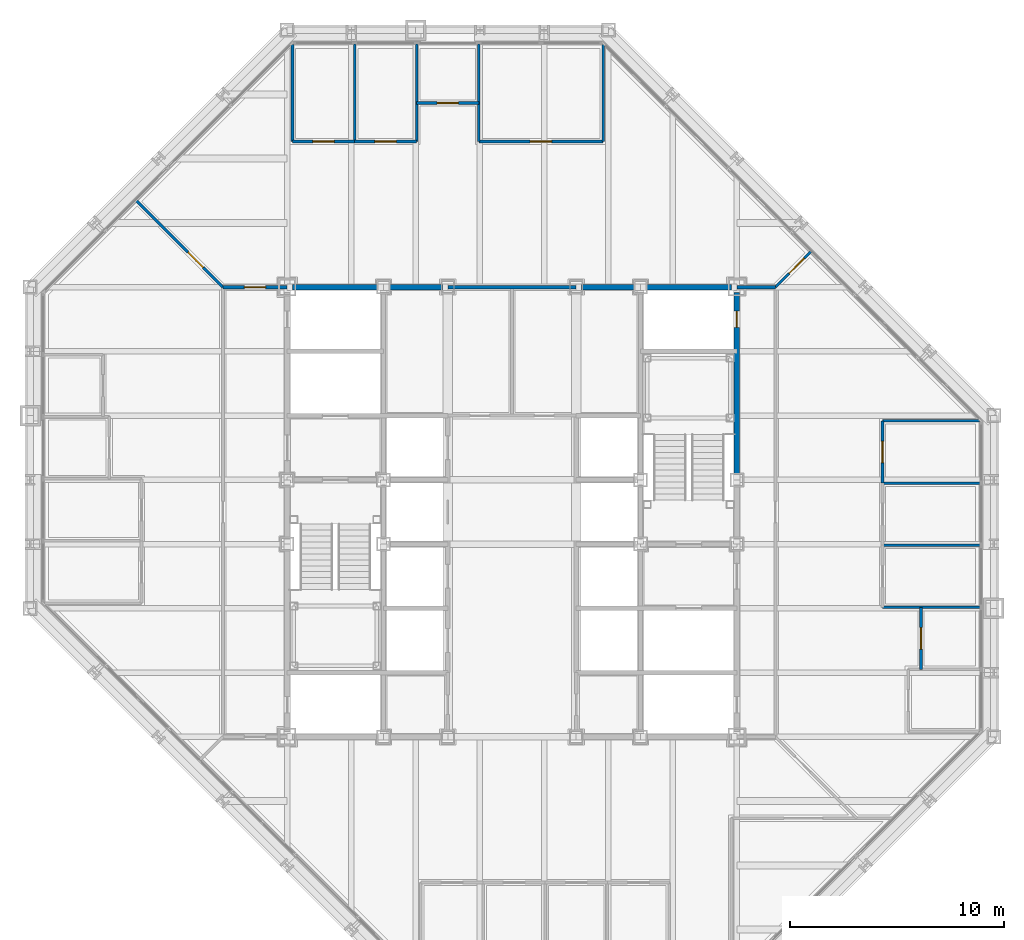
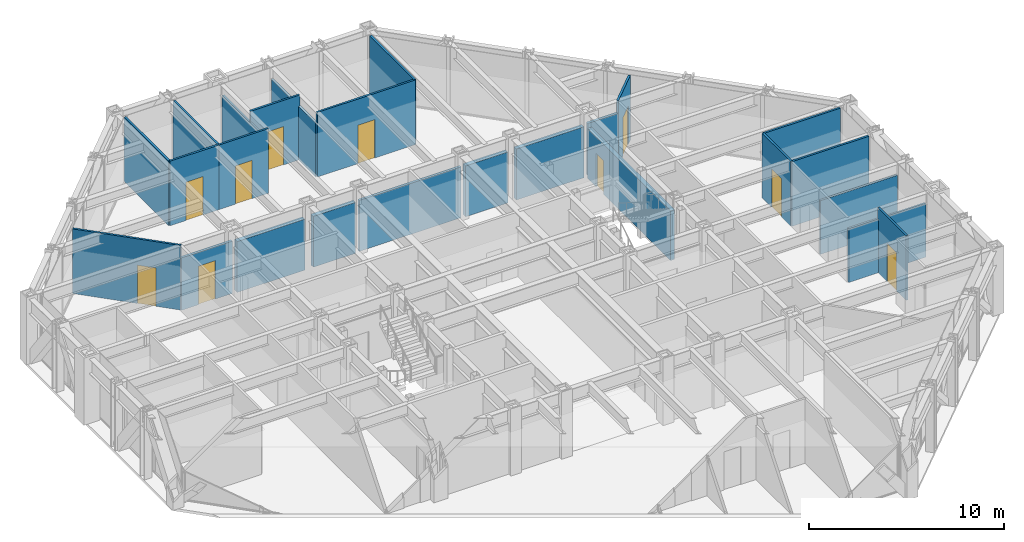
# One storey, part 12 of 15: 25 walls, 10 doors, 10 openings.
"""IFC4 building model written with IfcOpenShell, lengths in metres."""

from ifc_helpers import new_model, si_unit, direction, frame, frame_2d, origin, place, context, subcontext, project, spatial, rectangle, extrude, material, layer, layer_set, type_object, element, fill, save


model = new_model("IFC4")

# Units and contexts
model_context = context("Model", 3, precision=1e-05, world=origin(), true_north=direction((0.0, 1.0)))
body_context = subcontext(model_context, "Body", "Model", "MODEL_VIEW")
ifc_project = project(units=[si_unit("LENGTHUNIT", "METRE"), si_unit("AREAUNIT", "SQUARE_METRE"), si_unit("VOLUMEUNIT", "CUBIC_METRE"), si_unit("PLANEANGLEUNIT", "RADIAN"), si_unit("MASSUNIT", "GRAM", prefix="KILO")], contexts=[model_context])

# Site, building, storey
site_placement = place(None, origin())
site = spatial("IfcSite", under=ifc_project, at=site_placement, CompositionType="ELEMENT")
building_placement = place(site_placement, origin())
building = spatial("IfcBuilding", under=site, at=building_placement, Name="Chuquiago Exchange Tower", CompositionType="ELEMENT")
storey_placement = place(building_placement, frame((0.0, 0.0, 192.89990234375)))
storey = spatial("IfcBuildingStorey", under=building, at=storey_placement, Name="L42", CompositionType="ELEMENT", Elevation=192.89990234375)

# Walls
ifc_material_1 = material(Name="Concrete masonry, fully grouted", Category="masonry")
ifc_layer_1 = layer(ifc_material_1, 0.25)
ifc_layer_set_1 = layer_set([ifc_layer_1], Name="W1 core wall 250")
wall_type_1 = type_object("IfcWallType", Name="W1 core wall 250", PredefinedType="SOLIDWALL", material=ifc_layer_set_1)
wall_1_placement = place(storey_placement, frame((12.25, 33.0, 0.0), z_axis=(0.0, 0.0, 1.0), x_axis=(1.0, 0.0, 0.0)))
element("IfcWall", 1, at=wall_1_placement, inside=storey, type_object=wall_type_1, Name="CW-L42-11-0", PredefinedType="SOLIDWALL", context=body_context, shape_type="SweptSolid", body=[
    extrude(rectangle(XDim=4.0, YDim=0.25, at=frame_2d((2.0, 0.0))), origin(), (0.0, 0.0, 1.0), 3.181640625),
])
for number, where, z_axis, x_axis, name in (
    (2, (16.75, 33.0, 0.0), (0.0, 0.0, 1.0), (1.0, 0.0, 0.0), "CW-L42-11-1"),
    (3, (25.75, 33.0, 0.0), (0.0, 0.0, 1.0), (1.0, 0.0, 0.0), "CW-L42-12-0"),
):
    element("IfcWall", number, at=place(storey_placement, frame(where, z_axis=z_axis, x_axis=x_axis)), inside=storey, type_object=wall_type_1, Name=name, PredefinedType="SOLIDWALL", context=body_context, shape_type="SweptSolid", body=[
        extrude(rectangle(XDim=2.5, YDim=0.25, at=frame_2d((1.25, 0.0))), origin(), (0.0, 0.0, 1.0), 3.181640625),
    ])
wall_2_placement = place(storey_placement, frame((28.75, 33.0, 0.0), z_axis=(0.0, 0.0, 1.0), x_axis=(1.0, 0.0, 0.0)))
element("IfcWall", 4, at=wall_2_placement, inside=storey, type_object=wall_type_1, Name="CW-L42-12-1", PredefinedType="SOLIDWALL", context=body_context, shape_type="SweptSolid", body=[
    extrude(rectangle(XDim=4.0, YDim=0.25, at=frame_2d((2.0, 0.0))), origin(), (0.0, 0.0, 1.0), 3.181640625),
])

# Wall, opening, door
wall_3_placement = place(storey_placement, frame((33.0, 24.25, 0.0), z_axis=(0.0, 0.0, 1.0), x_axis=(0.0, 1.0, 0.0)))
wall_3 = element("IfcWall", 5, at=wall_3_placement, inside=storey, type_object=wall_type_1, Name="CW-L42-25-2", PredefinedType="SOLIDWALL", context=body_context, shape_type="SweptSolid", body=[
    extrude(rectangle(XDim=8.5, YDim=0.25, at=frame_2d((4.25, 0.0))), origin(), (0.0, 0.0, 1.0), 3.113037109375),
])
opening_1_placement = place(wall_3_placement, frame((6.875, 0.0, 0.0)))
opening_1 = element("IfcOpeningElement", 6, at=opening_1_placement, cuts=wall_3, Name="Opening L42-010", PredefinedType="OPENING", context=body_context, shape_type="SweptSolid", body=[
    extrude(rectangle(XDim=0.75, YDim=2.10009765625, at=frame_2d((0.375, 1.050048828125))), frame((0.0, 0.135009765625, 0.0), z_axis=(0.0, -1.0, 0.0), x_axis=(1.0, 0.0, 0.0)), (0.0, 0.0, 1.0), 0.27001953125),
])
ifc_material_2 = material(Name="Steel door, painted", Category="steel")
door_type_1 = type_object("IfcDoorType", Name="D6 riser access door 750x2100", OperationType="SINGLE_SWING_LEFT", PredefinedType="DOOR", material=ifc_material_2)
door_1_placement = place(opening_1_placement, frame((0.75, 0.0, 0.0), z_axis=(0.0, 0.0, 1.0), x_axis=(-1.0, 0.0, 0.0)))
door_1 = element("IfcDoor", 7, at=door_1_placement, inside=storey, type_object=door_type_1, Name="Riser RE2 door", OperationType="SINGLE_SWING_LEFT", OverallHeight=2.10009765625, OverallWidth=0.75, PredefinedType="DOOR", context=body_context, shape_type="SweptSolid", body=[
    extrude(rectangle(XDim=0.75, YDim=2.10009765625, at=frame_2d((0.375, 1.050048828125))), frame((0.0, 0.02490234375, 0.0), z_axis=(0.0, -1.0, 0.0), x_axis=(1.0, 0.0, 0.0)), (0.0, 0.0, 1.0), 0.050048828125),
])
fill(opening_1, door_1)

ifc_material_3 = material(Name="Gypsum board on steel studs, acoustic insulation", Category="steel")
ifc_layer_2 = layer(ifc_material_3, 0.14990234375)
ifc_layer_set_2 = layer_set([ifc_layer_2], Name="W11 corridor wall 150")
wall_type_2 = type_object("IfcWallType", Name="W11 corridor wall 150", PredefinedType="PARTITIONING", material=ifc_layer_set_2)
wall_4_placement = place(storey_placement, frame((9.0, 33.0, 0.0), z_axis=(0.0, 0.0, 1.0), x_axis=(1.0, 0.0, 0.0)))
wall_4 = element("IfcWall", 8, at=wall_4_placement, inside=storey, type_object=wall_type_2, Name="PW-L42-GWN0", PredefinedType="PARTITIONING", context=body_context, shape_type="SweptSolid", body=[
    extrude(rectangle(XDim=3.0, YDim=0.14990234375, at=frame_2d((1.5, 0.0))), origin(), (0.0, 0.0, 1.0), 3.2705078125),
])
opening_2_placement = place(wall_4_placement, frame((1.0, 0.0, 0.0)))
opening_2 = element("IfcOpeningElement", 9, at=opening_2_placement, cuts=wall_4, Name="Opening L42-038", PredefinedType="OPENING", context=body_context, shape_type="SweptSolid", body=[
    extrude(rectangle(XDim=1.0, YDim=2.39990234375, at=frame_2d((0.5, 1.199951171875))), frame((0.0, 0.0849609375, 0.0), z_axis=(0.0, -1.0, 0.0), x_axis=(1.0, 0.0, 0.0)), (0.0, 0.0, 1.0), 0.169921875),
])
ifc_material_4 = material(Name="Timber door, laminate faced", Category="wood")
door_type_2 = type_object("IfcDoorType", Name="D9 room door 1000x2400", OperationType="SINGLE_SWING_LEFT", PredefinedType="DOOR", material=ifc_material_4)
door_2_placement = place(opening_2_placement, origin())
door_2 = element("IfcDoor", 10, at=door_2_placement, inside=storey, type_object=door_type_2, Name="Team area door", OperationType="SINGLE_SWING_RIGHT", OverallHeight=2.39990234375, OverallWidth=1.0, PredefinedType="DOOR", context=body_context, shape_type="SweptSolid", body=[
    extrude(rectangle(XDim=1.0, YDim=2.39990234375, at=frame_2d((0.5, 1.199951171875))), frame((0.0, 0.02490234375, 0.0), z_axis=(0.0, -1.0, 0.0), x_axis=(1.0, 0.0, 0.0)), (0.0, 0.0, 1.0), 0.050048828125),
])
fill(opening_2, door_2)

# Walls
wall_5_placement = place(storey_placement, frame((33.0, 33.0, 0.0), z_axis=(0.0, 0.0, 1.0), x_axis=(1.0, 0.0, 0.0)))
element("IfcWall", 11, at=wall_5_placement, inside=storey, type_object=wall_type_2, Name="PW-L42-GEN0", PredefinedType="PARTITIONING", context=body_context, shape_type="SweptSolid", body=[
    extrude(rectangle(XDim=1.800048828125, YDim=0.14990234375, at=frame_2d((0.89990234375, 0.0))), origin(), (0.0, 0.0, 1.0), 3.2705078125),
])
ifc_material_5 = material(Name="Gypsum board on steel studs", Category="steel")
ifc_layer_3 = layer(ifc_material_5, 0.14990234375)
ifc_layer_set_3 = layer_set([ifc_layer_3], Name="W3 core partition 150")
wall_type_3 = type_object("IfcWallType", Name="W3 core partition 150", PredefinedType="PARTITIONING", material=ifc_layer_set_3)
wall_6_placement = place(storey_placement, frame((19.5, 33.0, 0.0), z_axis=(0.0, 0.0, 1.0), x_axis=(1.0, 0.0, 0.0)))
element("IfcWall", 12, at=wall_6_placement, inside=storey, type_object=wall_type_3, Name="CW-L42-TB", PredefinedType="PARTITIONING", context=body_context, shape_type="SweptSolid", body=[
    extrude(rectangle(XDim=6.0, YDim=0.14990234375, at=frame_2d((3.0, 0.0))), origin(), (0.0, 0.0, 1.0), 3.181640625),
])
ifc_material_6 = material(Name="Gypsum board on steel studs", Category="steel")
ifc_layer_4 = layer(ifc_material_6, 0.1201171875)
ifc_layer_set_4 = layer_set([ifc_layer_4], Name="W4 partition 120")
wall_type_4 = type_object("IfcWallType", Name="W4 partition 120", PredefinedType="PARTITIONING", material=ifc_layer_set_4)
for number, where, z_axis, x_axis, name in (
    (13, (44.347412109375, 18.0498046875, 0.0), (0.0, 0.0, 1.0), (-1.0, 0.0, 0.0), "PW-L42-E01805"),
    (14, (44.347412109375, 20.9501953125, 0.0), (0.0, 0.0, 1.0), (-1.0, 0.0, 0.0), "PW-L42-E02095"),
):
    element("IfcWall", number, at=place(storey_placement, frame(where, z_axis=z_axis, x_axis=x_axis)), inside=storey, type_object=wall_type_4, Name=name, PredefinedType="PARTITIONING", context=body_context, shape_type="SweptSolid", body=[
        extrude(rectangle(XDim=4.54736328125, YDim=0.1201171875, at=frame_2d((2.273681640625, 0.0))), origin(), (0.0, 0.0, 1.0), 3.35693359375),
    ])
wall_7_placement = place(storey_placement, frame((44.347412109375, 23.850830078125, 0.0), z_axis=(0.0, 0.0, 1.0), x_axis=(-1.0, 0.0, 0.0)))
element("IfcWall", 15, at=wall_7_placement, inside=storey, type_object=wall_type_4, Name="PW-L42-E02385", PredefinedType="PARTITIONING", context=body_context, shape_type="SweptSolid", body=[
    extrude(rectangle(XDim=4.54736328125, YDim=0.1201171875, at=frame_2d((2.273681640625, 0.0))), origin(), (0.0, 0.0, 1.0), 4.0400390625),
])
wall_8_placement = place(storey_placement, frame((44.333984375, 26.75146484375, 0.0), z_axis=(0.0, 0.0, 1.0), x_axis=(-1.0, 0.0, 0.0)))
element("IfcWall", 16, at=wall_8_placement, inside=storey, type_object=wall_type_4, Name="PW-L42-E02675", PredefinedType="PARTITIONING", context=body_context, shape_type="SweptSolid", body=[
    extrude(rectangle(XDim=4.533935546875, YDim=0.1201171875, at=frame_2d((2.26708984375, 0.0))), origin(), (0.0, 0.0, 1.0), 4.0400390625),
])

# Wall, opening, door
wall_9_placement = place(storey_placement, frame((41.60009765625, 15.149169921875, 0.0), z_axis=(0.0, 0.0, 1.0), x_axis=(0.0, 1.0, 0.0)))
wall_9 = element("IfcWall", 17, at=wall_9_placement, inside=storey, type_object=wall_type_4, Name="PW-L42-EF01515", PredefinedType="PARTITIONING", context=body_context, shape_type="SweptSolid", body=[
    extrude(rectangle(XDim=2.900634765625, YDim=0.1201171875, at=frame_2d((1.4501953125, 0.0))), origin(), (0.0, 0.0, 1.0), 4.0400390625),
])
opening_3_placement = place(wall_9_placement, frame((0.9501953125, 0.0, 0.0)))
opening_3 = element("IfcOpeningElement", 18, at=opening_3_placement, cuts=wall_9, Name="Opening L42-025", PredefinedType="OPENING", context=body_context, shape_type="SweptSolid", body=[
    extrude(rectangle(XDim=1.0, YDim=2.39990234375, at=frame_2d((0.5, 1.199951171875))), frame((0.0, 0.070068359375, 0.0), z_axis=(0.0, -1.0, 0.0), x_axis=(1.0, 0.0, 0.0)), (0.0, 0.0, 1.0), 0.14013671875),
])
ifc_material_7 = material(Name="Timber frame door, full height glazed panel", Category="wood")
door_type_3 = type_object("IfcDoorType", Name="D14 glazed meeting room door 1000x2400", OperationType="SINGLE_SWING_LEFT", PredefinedType="DOOR", material=ifc_material_7)
door_3_placement = place(opening_3_placement, frame((1.0, 0.0, 0.0), z_axis=(0.0, 0.0, 1.0), x_axis=(-1.0, 0.0, 0.0)))
door_3 = element("IfcDoor", 19, at=door_3_placement, inside=storey, type_object=door_type_3, Name="Focus room door", OperationType="SINGLE_SWING_RIGHT", OverallHeight=2.39990234375, OverallWidth=1.0, PredefinedType="DOOR", context=body_context, shape_type="SweptSolid", body=[
    extrude(rectangle(XDim=1.0, YDim=2.39990234375, at=frame_2d((0.5, 1.199951171875))), frame((0.0, 0.02490234375, 0.0), z_axis=(0.0, -1.0, 0.0), x_axis=(1.0, 0.0, 0.0)), (0.0, 0.0, 1.0), 0.050048828125),
])
fill(opening_3, door_3)

wall_10_placement = place(storey_placement, frame((39.800048828125, 23.850830078125, 0.0), z_axis=(0.0, 0.0, 1.0), x_axis=(0.0, 1.0, 0.0)))
wall_10 = element("IfcWall", 20, at=wall_10_placement, inside=storey, type_object=wall_type_4, Name="PW-L42-EF02385", PredefinedType="PARTITIONING", context=body_context, shape_type="SweptSolid", body=[
    extrude(rectangle(XDim=2.900634765625, YDim=0.1201171875, at=frame_2d((1.4501953125, 0.0))), origin(), (0.0, 0.0, 1.0), 4.0400390625),
])
opening_4_placement = place(wall_10_placement, frame((0.9501953125, 0.0, 0.0)))
opening_4 = element("IfcOpeningElement", 21, at=opening_4_placement, cuts=wall_10, Name="Opening L42-028", PredefinedType="OPENING", context=body_context, shape_type="SweptSolid", body=[
    extrude(rectangle(XDim=1.0, YDim=2.39990234375, at=frame_2d((0.5, 1.199951171875))), frame((0.0, 0.070068359375, 0.0), z_axis=(0.0, -1.0, 0.0), x_axis=(1.0, 0.0, 0.0)), (0.0, 0.0, 1.0), 0.14013671875),
])
door_4_placement = place(opening_4_placement, frame((1.0, 0.0, 0.0), z_axis=(0.0, 0.0, 1.0), x_axis=(-1.0, 0.0, 0.0)))
door_4 = element("IfcDoor", 22, at=door_4_placement, inside=storey, type_object=door_type_3, Name="Meeting room door", OperationType="SINGLE_SWING_RIGHT", OverallHeight=2.39990234375, OverallWidth=1.0, PredefinedType="DOOR", context=body_context, shape_type="SweptSolid", body=[
    extrude(rectangle(XDim=1.0, YDim=2.39990234375, at=frame_2d((0.5, 1.199951171875))), frame((0.0, 0.02490234375, 0.0), z_axis=(0.0, -1.0, 0.0), x_axis=(1.0, 0.0, 0.0)), (0.0, 0.0, 1.0), 0.050048828125),
])
fill(opening_4, door_4)

# Walls
wall_11_placement = place(storey_placement, frame((12.24853515625, 44.333984375, 0.0), z_axis=(0.0, 0.0, 1.0), x_axis=(0.0, -1.0, 0.0)))
element("IfcWall", 23, at=wall_11_placement, inside=storey, type_object=wall_type_4, Name="PW-L42-N01225", PredefinedType="PARTITIONING", context=body_context, shape_type="SweptSolid", body=[
    extrude(rectangle(XDim=4.533935546875, YDim=0.1201171875, at=frame_2d((2.26708984375, 0.0))), origin(), (0.0, 0.0, 1.0), 4.0400390625),
])
wall_12_placement = place(storey_placement, frame((15.149169921875, 44.347412109375, 0.0), z_axis=(0.0, 0.0, 1.0), x_axis=(0.0, -1.0, 0.0)))
element("IfcWall", 24, at=wall_12_placement, inside=storey, type_object=wall_type_4, Name="PW-L42-N01515", PredefinedType="PARTITIONING", context=body_context, shape_type="SweptSolid", body=[
    extrude(rectangle(XDim=4.54736328125, YDim=0.1201171875, at=frame_2d((2.273681640625, 0.0))), origin(), (0.0, 0.0, 1.0), 4.0400390625),
])
for number, where, z_axis, x_axis, name in (
    (25, (18.0498046875, 44.347412109375, 0.0), (0.0, 0.0, 1.0), (0.0, -1.0, 0.0), "PW-L42-N01805"),
    (26, (20.9501953125, 44.347412109375, 0.0), (0.0, 0.0, 1.0), (0.0, -1.0, 0.0), "PW-L42-N02095"),
):
    element("IfcWall", number, at=place(storey_placement, frame(where, z_axis=z_axis, x_axis=x_axis)), inside=storey, type_object=wall_type_4, Name=name, PredefinedType="PARTITIONING", context=body_context, shape_type="SweptSolid", body=[
        extrude(rectangle(XDim=4.54736328125, YDim=0.1201171875, at=frame_2d((2.273681640625, 0.0))), origin(), (0.0, 0.0, 1.0), 3.35693359375),
    ])
wall_13_placement = place(storey_placement, frame((26.75146484375, 44.333984375, 0.0), z_axis=(0.0, 0.0, 1.0), x_axis=(0.0, -1.0, 0.0)))
element("IfcWall", 27, at=wall_13_placement, inside=storey, type_object=wall_type_4, Name="PW-L42-N02675", PredefinedType="PARTITIONING", context=body_context, shape_type="SweptSolid", body=[
    extrude(rectangle(XDim=4.533935546875, YDim=0.1201171875, at=frame_2d((2.26708984375, 0.0))), origin(), (0.0, 0.0, 1.0), 4.0400390625),
])

# Wall, opening, door
wall_14_placement = place(storey_placement, frame((12.24853515625, 39.800048828125, 0.0), z_axis=(0.0, 0.0, 1.0), x_axis=(1.0, 0.0, 0.0)))
wall_14 = element("IfcWall", 28, at=wall_14_placement, inside=storey, type_object=wall_type_4, Name="PW-L42-NF01225", PredefinedType="PARTITIONING", context=body_context, shape_type="SweptSolid", body=[
    extrude(rectangle(XDim=2.900634765625, YDim=0.1201171875, at=frame_2d((1.4501953125, 0.0))), origin(), (0.0, 0.0, 1.0), 4.0400390625),
])
opening_5_placement = place(wall_14_placement, frame((0.9501953125, 0.0, 0.0)))
opening_5 = element("IfcOpeningElement", 29, at=opening_5_placement, cuts=wall_14, Name="Opening L42-029", PredefinedType="OPENING", context=body_context, shape_type="SweptSolid", body=[
    extrude(rectangle(XDim=1.0, YDim=2.39990234375, at=frame_2d((0.5, 1.199951171875))), frame((0.0, 0.070068359375, 0.0), z_axis=(0.0, -1.0, 0.0), x_axis=(1.0, 0.0, 0.0)), (0.0, 0.0, 1.0), 0.14013671875),
])
door_5_placement = place(opening_5_placement, origin())
door_5 = element("IfcDoor", 30, at=door_5_placement, inside=storey, type_object=door_type_2, Name="Office door", OperationType="SINGLE_SWING_LEFT", OverallHeight=2.39990234375, OverallWidth=1.0, PredefinedType="DOOR", context=body_context, shape_type="SweptSolid", body=[
    extrude(rectangle(XDim=1.0, YDim=2.39990234375, at=frame_2d((0.5, 1.199951171875))), frame((0.0, 0.02490234375, 0.0), z_axis=(0.0, -1.0, 0.0), x_axis=(1.0, 0.0, 0.0)), (0.0, 0.0, 1.0), 0.050048828125),
])
fill(opening_5, door_5)

wall_15_placement = place(storey_placement, frame((15.149169921875, 39.800048828125, 0.0), z_axis=(0.0, 0.0, 1.0), x_axis=(1.0, 0.0, 0.0)))
wall_15 = element("IfcWall", 31, at=wall_15_placement, inside=storey, type_object=wall_type_4, Name="PW-L42-NF01515", PredefinedType="PARTITIONING", context=body_context, shape_type="SweptSolid", body=[
    extrude(rectangle(XDim=2.900634765625, YDim=0.1201171875, at=frame_2d((1.4501953125, 0.0))), origin(), (0.0, 0.0, 1.0), 4.0400390625),
])
opening_6_placement = place(wall_15_placement, frame((0.9501953125, 0.0, 0.0)))
opening_6 = element("IfcOpeningElement", 32, at=opening_6_placement, cuts=wall_15, Name="Opening L42-030", PredefinedType="OPENING", context=body_context, shape_type="SweptSolid", body=[
    extrude(rectangle(XDim=1.0, YDim=2.39990234375, at=frame_2d((0.5, 1.199951171875))), frame((0.0, 0.070068359375, 0.0), z_axis=(0.0, -1.0, 0.0), x_axis=(1.0, 0.0, 0.0)), (0.0, 0.0, 1.0), 0.14013671875),
])
door_6_placement = place(opening_6_placement, origin())
door_6 = element("IfcDoor", 33, at=door_6_placement, inside=storey, type_object=door_type_2, Name="Office door", OperationType="SINGLE_SWING_LEFT", OverallHeight=2.39990234375, OverallWidth=1.0, PredefinedType="DOOR", context=body_context, shape_type="SweptSolid", body=[
    extrude(rectangle(XDim=1.0, YDim=2.39990234375, at=frame_2d((0.5, 1.199951171875))), frame((0.0, 0.02490234375, 0.0), z_axis=(0.0, -1.0, 0.0), x_axis=(1.0, 0.0, 0.0)), (0.0, 0.0, 1.0), 0.050048828125),
])
fill(opening_6, door_6)

wall_16_placement = place(storey_placement, frame((18.0498046875, 41.60009765625, 0.0), z_axis=(0.0, 0.0, 1.0), x_axis=(1.0, 0.0, 0.0)))
wall_16 = element("IfcWall", 34, at=wall_16_placement, inside=storey, type_object=wall_type_4, Name="PW-L42-NF01805", PredefinedType="PARTITIONING", context=body_context, shape_type="SweptSolid", body=[
    extrude(rectangle(XDim=2.900390625, YDim=0.1201171875, at=frame_2d((1.4501953125, 0.0))), origin(), (0.0, 0.0, 1.0), 4.0400390625),
])
opening_7_placement = place(wall_16_placement, frame((0.9501953125, 0.0, 0.0)))
opening_7 = element("IfcOpeningElement", 35, at=opening_7_placement, cuts=wall_16, Name="Opening L42-031", PredefinedType="OPENING", context=body_context, shape_type="SweptSolid", body=[
    extrude(rectangle(XDim=1.0, YDim=2.39990234375, at=frame_2d((0.5, 1.199951171875))), frame((0.0, 0.070068359375, 0.0), z_axis=(0.0, -1.0, 0.0), x_axis=(1.0, 0.0, 0.0)), (0.0, 0.0, 1.0), 0.14013671875),
])
door_7_placement = place(opening_7_placement, origin())
door_7 = element("IfcDoor", 36, at=door_7_placement, inside=storey, type_object=door_type_3, Name="Focus room door", OperationType="SINGLE_SWING_RIGHT", OverallHeight=2.39990234375, OverallWidth=1.0, PredefinedType="DOOR", context=body_context, shape_type="SweptSolid", body=[
    extrude(rectangle(XDim=1.0, YDim=2.39990234375, at=frame_2d((0.5, 1.199951171875))), frame((0.0, 0.02490234375, 0.0), z_axis=(0.0, -1.0, 0.0), x_axis=(1.0, 0.0, 0.0)), (0.0, 0.0, 1.0), 0.050048828125),
])
fill(opening_7, door_7)

wall_17_placement = place(storey_placement, frame((20.9501953125, 39.800048828125, 0.0), z_axis=(0.0, 0.0, 1.0), x_axis=(1.0, 0.0, 0.0)))
wall_17 = element("IfcWall", 37, at=wall_17_placement, inside=storey, type_object=wall_type_4, Name="PW-L42-NF02095", PredefinedType="PARTITIONING", context=body_context, shape_type="SweptSolid", body=[
    extrude(rectangle(XDim=5.80126953125, YDim=0.1201171875, at=frame_2d((2.900634765625, 0.0))), origin(), (0.0, 0.0, 1.0), 4.0400390625),
])
opening_8_placement = place(wall_17_placement, frame((2.400634765625, 0.0, 0.0)))
opening_8 = element("IfcOpeningElement", 38, at=opening_8_placement, cuts=wall_17, Name="Opening L42-032", PredefinedType="OPENING", context=body_context, shape_type="SweptSolid", body=[
    extrude(rectangle(XDim=1.0, YDim=2.39990234375, at=frame_2d((0.5, 1.199951171875))), frame((0.0, 0.070068359375, 0.0), z_axis=(0.0, -1.0, 0.0), x_axis=(1.0, 0.0, 0.0)), (0.0, 0.0, 1.0), 0.14013671875),
])
door_8_placement = place(opening_8_placement, origin())
door_8 = element("IfcDoor", 39, at=door_8_placement, inside=storey, type_object=door_type_3, Name="Meeting room door", OperationType="SINGLE_SWING_LEFT", OverallHeight=2.39990234375, OverallWidth=1.0, PredefinedType="DOOR", context=body_context, shape_type="SweptSolid", body=[
    extrude(rectangle(XDim=1.0, YDim=2.39990234375, at=frame_2d((0.5, 1.199951171875))), frame((0.0, 0.02490234375, 0.0), z_axis=(0.0, -1.0, 0.0), x_axis=(1.0, 0.0, 0.0)), (0.0, 0.0, 1.0), 0.050048828125),
])
fill(opening_8, door_8)

wall_18_placement = place(storey_placement, frame((34.800048828125, 33.0, 0.0), z_axis=(0.0, 0.0, 1.0), x_axis=(0.707106781187, 0.707106781187, 0.0)))
wall_18 = element("IfcWall", 40, at=wall_18_placement, inside=storey, type_object=wall_type_4, Name="PW-L42-QNE", PredefinedType="PARTITIONING", context=body_context, shape_type="SweptSolid", body=[
    extrude(rectangle(XDim=2.337890625, YDim=0.1201171875, at=frame_2d((1.1689453125, 0.0))), origin(), (0.0, 0.0, 1.0), 4.0400390625),
])
opening_9_placement = place(wall_18_placement, frame((0.89990234375, 0.0, 0.0)))
opening_9 = element("IfcOpeningElement", 41, at=opening_9_placement, cuts=wall_18, Name="Opening L42-041", PredefinedType="OPENING", context=body_context, shape_type="SweptSolid", body=[
    extrude(rectangle(XDim=1.0, YDim=2.39990234375, at=frame_2d((0.5, 1.199951171875))), frame((0.0, 0.070068359375, 0.0), z_axis=(0.0, -1.0, 0.0), x_axis=(1.0, 0.0, 0.0)), (0.0, 0.0, 1.0), 0.14013671875),
])
door_9_placement = place(opening_9_placement, frame((1.0, 0.0, 0.0), z_axis=(0.0, 0.0, 1.0), x_axis=(-1.0, 0.0, 0.0)))
door_9 = element("IfcDoor", 42, at=door_9_placement, inside=storey, type_object=door_type_2, Name="Team area door", OperationType="SINGLE_SWING_LEFT", OverallHeight=2.39990234375, OverallWidth=1.0, PredefinedType="DOOR", context=body_context, shape_type="SweptSolid", body=[
    extrude(rectangle(XDim=1.0, YDim=2.39990234375, at=frame_2d((0.5, 1.199951171875))), frame((0.0, 0.02490234375, 0.0), z_axis=(0.0, -1.0, 0.0), x_axis=(1.0, 0.0, 0.0)), (0.0, 0.0, 1.0), 0.050048828125),
])
fill(opening_9, door_9)

wall_19_placement = place(storey_placement, frame((9.0, 33.0, 0.0), z_axis=(0.0, 0.0, 1.0), x_axis=(-0.707106781187, 0.707106781187, 0.0)))
wall_19 = element("IfcWall", 43, at=wall_19_placement, inside=storey, type_object=wall_type_4, Name="PW-L42-QNW", PredefinedType="PARTITIONING", context=body_context, shape_type="SweptSolid", body=[
    extrude(rectangle(XDim=5.731689453125, YDim=0.1201171875, at=frame_2d((2.86572265625, 0.0))), origin(), (0.0, 0.0, 1.0), 4.0400390625),
])
opening_10_placement = place(wall_19_placement, frame((1.300048828125, 0.0, 0.0)))
opening_10 = element("IfcOpeningElement", 44, at=opening_10_placement, cuts=wall_19, Name="Opening L42-042", PredefinedType="OPENING", context=body_context, shape_type="SweptSolid", body=[
    extrude(rectangle(XDim=1.0, YDim=2.39990234375, at=frame_2d((0.5, 1.199951171875))), frame((0.0, 0.070068359375, 0.0), z_axis=(0.0, -1.0, 0.0), x_axis=(1.0, 0.0, 0.0)), (0.0, 0.0, 1.0), 0.14013671875),
])
door_10_placement = place(opening_10_placement, frame((1.0, 0.0, 0.0), z_axis=(0.0, 0.0, 1.0), x_axis=(-1.0, 0.0, 0.0)))
door_10 = element("IfcDoor", 45, at=door_10_placement, inside=storey, type_object=door_type_2, Name="Team area door", OperationType="SINGLE_SWING_RIGHT", OverallHeight=2.39990234375, OverallWidth=1.0, PredefinedType="DOOR", context=body_context, shape_type="SweptSolid", body=[
    extrude(rectangle(XDim=1.0, YDim=2.39990234375, at=frame_2d((0.5, 1.199951171875))), frame((0.0, 0.02490234375, 0.0), z_axis=(0.0, -1.0, 0.0), x_axis=(1.0, 0.0, 0.0)), (0.0, 0.0, 1.0), 0.050048828125),
])
fill(opening_10, door_10)

save(model, "model.ifc")
